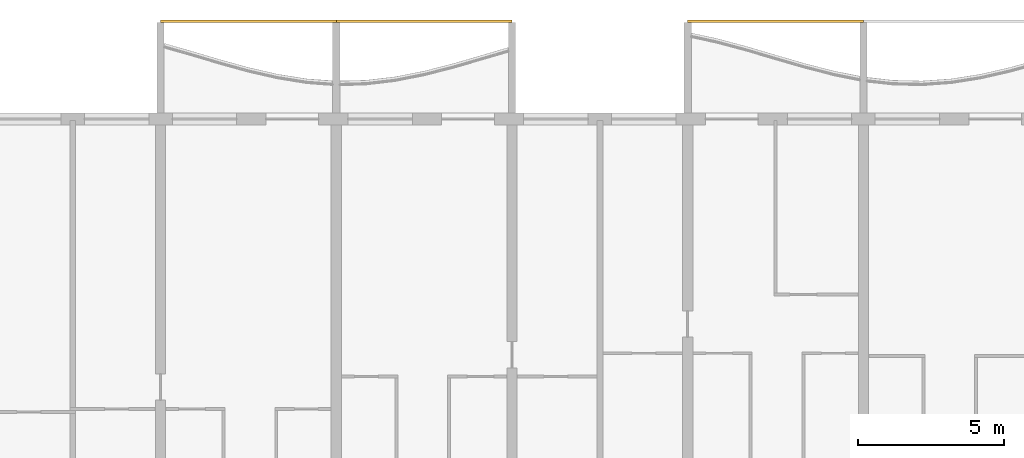
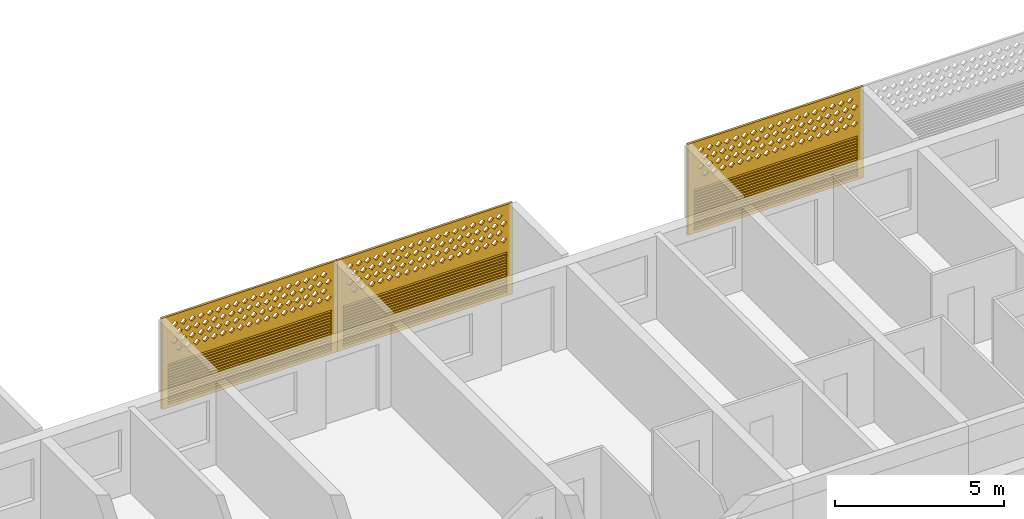
# One storey, part 20 of 24: 3 coverings.
"""IFC4 building model written with IfcOpenShell, lengths in metres."""

from ifc_helpers import new_model, si_unit, direction, frame, origin, place, context, subcontext, project, spatial, polyline, outline, extrude, source, transform, mapped, material, material_profile, profile_set, type_object, element, save


model = new_model("IFC4")

# Units and contexts
model_context = context("Model", 3, precision=1e-05, world=origin(), true_north=direction((0.0, 1.0)))
body_context = subcontext(model_context, "Body", "Model", "MODEL_VIEW")
ifc_project = project(units=[si_unit("LENGTHUNIT", "METRE"), si_unit("AREAUNIT", "SQUARE_METRE"), si_unit("VOLUMEUNIT", "CUBIC_METRE"), si_unit("PLANEANGLEUNIT", "RADIAN"), si_unit("MASSUNIT", "GRAM", prefix="KILO")], contexts=[model_context])

# Site, building, storey
site_placement = place(None, origin())
site = spatial("IfcSite", under=ifc_project, at=site_placement, CompositionType="ELEMENT")
building_placement = place(site_placement, origin())
building = spatial("IfcBuilding", under=site, at=building_placement, Name="Poui Terraces", CompositionType="ELEMENT")
storey_placement = place(building_placement, frame((0.0, 0.0, 102.60009765625)))
storey = spatial("IfcBuildingStorey", under=building, at=storey_placement, Name="L28", CompositionType="ELEMENT", Elevation=102.60009765625)

# Coverings
ifc_material = material(Name="Terracotta screen", Category="masonry")
ifc_material_profile = material_profile(ifc_material, outline(polyline([(-3.0, -1.64990234375), (3.0, -1.64990234375), (3.0, 1.64990234375), (-3.0, 1.64990234375), (-3.0, -1.64990234375)]), holes=[polyline([(-2.800048828125, 0.39990234375), (-2.68994140625, 0.2900390625), (-2.580078125, 0.39990234375), (-2.68994140625, 0.510009765625), (-2.800048828125, 0.39990234375)]), polyline([(-2.5, 0.39990234375), (-2.389892578125, 0.2900390625), (-2.280029296875, 0.39990234375), (-2.389892578125, 0.510009765625), (-2.5, 0.39990234375)]), polyline([(-2.199951171875, 0.39990234375), (-2.090087890625, 0.2900390625), (-1.97998046875, 0.39990234375), (-2.090087890625, 0.510009765625), (-2.199951171875, 0.39990234375)]), polyline([(-1.89990234375, 0.39990234375), (-1.7900390625, 0.2900390625), (-1.679931640625, 0.39990234375), (-1.7900390625, 0.510009765625), (-1.89990234375, 0.39990234375)]), polyline([(-1.60009765625, 0.39990234375), (-1.489990234375, 0.2900390625), (-1.3798828125, 0.39990234375), (-1.489990234375, 0.510009765625), (-1.60009765625, 0.39990234375)]), polyline([(-1.300048828125, 0.39990234375), (-1.18994140625, 0.2900390625), (-1.080078125, 0.39990234375), (-1.18994140625, 0.510009765625), (-1.300048828125, 0.39990234375)]), polyline([(-1.0, 0.39990234375), (-0.889892578125, 0.2900390625), (-0.780029296875, 0.39990234375), (-0.889892578125, 0.510009765625), (-1.0, 0.39990234375)]), polyline([(-0.699951171875, 0.39990234375), (-0.590087890625, 0.2900390625), (-0.47998046875, 0.39990234375), (-0.590087890625, 0.510009765625), (-0.699951171875, 0.39990234375)]), polyline([(-0.39990234375, 0.39990234375), (-0.2900390625, 0.2900390625), (-0.179931640625, 0.39990234375), (-0.2900390625, 0.510009765625), (-0.39990234375, 0.39990234375)]), polyline([(-0.10009765625, 0.39990234375), (0.010009765625, 0.2900390625), (0.1201171875, 0.39990234375), (0.010009765625, 0.510009765625), (-0.10009765625, 0.39990234375)]), polyline([(0.199951171875, 0.39990234375), (0.31005859375, 0.2900390625), (0.419921875, 0.39990234375), (0.31005859375, 0.510009765625), (0.199951171875, 0.39990234375)]), polyline([(0.5, 0.39990234375), (0.610107421875, 0.2900390625), (0.719970703125, 0.39990234375), (0.610107421875, 0.510009765625), (0.5, 0.39990234375)]), polyline([(0.800048828125, 0.39990234375), (0.909912109375, 0.2900390625), (1.02001953125, 0.39990234375), (0.909912109375, 0.510009765625), (0.800048828125, 0.39990234375)]), polyline([(1.10009765625, 0.39990234375), (1.2099609375, 0.2900390625), (1.320068359375, 0.39990234375), (1.2099609375, 0.510009765625), (1.10009765625, 0.39990234375)]), polyline([(1.39990234375, 0.39990234375), (1.510009765625, 0.2900390625), (1.6201171875, 0.39990234375), (1.510009765625, 0.510009765625), (1.39990234375, 0.39990234375)]), polyline([(1.699951171875, 0.39990234375), (1.81005859375, 0.2900390625), (1.919921875, 0.39990234375), (1.81005859375, 0.510009765625), (1.699951171875, 0.39990234375)]), polyline([(2.0, 0.39990234375), (2.110107421875, 0.2900390625), (2.219970703125, 0.39990234375), (2.110107421875, 0.510009765625), (2.0, 0.39990234375)]), polyline([(2.300048828125, 0.39990234375), (2.409912109375, 0.2900390625), (2.52001953125, 0.39990234375), (2.409912109375, 0.510009765625), (2.300048828125, 0.39990234375)]), polyline([(-2.64990234375, 0.699951171875), (-2.5400390625, 0.590087890625), (-2.429931640625, 0.699951171875), (-2.5400390625, 0.81005859375), (-2.64990234375, 0.699951171875)]), polyline([(-2.35009765625, 0.699951171875), (-2.239990234375, 0.590087890625), (-2.1298828125, 0.699951171875), (-2.239990234375, 0.81005859375), (-2.35009765625, 0.699951171875)]), polyline([(-2.050048828125, 0.699951171875), (-1.93994140625, 0.590087890625), (-1.830078125, 0.699951171875), (-1.93994140625, 0.81005859375), (-2.050048828125, 0.699951171875)]), polyline([(-1.75, 0.699951171875), (-1.639892578125, 0.590087890625), (-1.530029296875, 0.699951171875), (-1.639892578125, 0.81005859375), (-1.75, 0.699951171875)]), polyline([(-1.449951171875, 0.699951171875), (-1.340087890625, 0.590087890625), (-1.22998046875, 0.699951171875), (-1.340087890625, 0.81005859375), (-1.449951171875, 0.699951171875)]), polyline([(-1.14990234375, 0.699951171875), (-1.0400390625, 0.590087890625), (-0.929931640625, 0.699951171875), (-1.0400390625, 0.81005859375), (-1.14990234375, 0.699951171875)]), polyline([(-0.85009765625, 0.699951171875), (-0.739990234375, 0.590087890625), (-0.6298828125, 0.699951171875), (-0.739990234375, 0.81005859375), (-0.85009765625, 0.699951171875)]), polyline([(-0.550048828125, 0.699951171875), (-0.43994140625, 0.590087890625), (-0.330078125, 0.699951171875), (-0.43994140625, 0.81005859375), (-0.550048828125, 0.699951171875)]), polyline([(-0.25, 0.699951171875), (-0.139892578125, 0.590087890625), (-0.030029296875, 0.699951171875), (-0.139892578125, 0.81005859375), (-0.25, 0.699951171875)]), polyline([(0.050048828125, 0.699951171875), (0.159912109375, 0.590087890625), (0.27001953125, 0.699951171875), (0.159912109375, 0.81005859375), (0.050048828125, 0.699951171875)]), polyline([(0.35009765625, 0.699951171875), (0.4599609375, 0.590087890625), (0.570068359375, 0.699951171875), (0.4599609375, 0.81005859375), (0.35009765625, 0.699951171875)]), polyline([(0.64990234375, 0.699951171875), (0.760009765625, 0.590087890625), (0.8701171875, 0.699951171875), (0.760009765625, 0.81005859375), (0.64990234375, 0.699951171875)]), polyline([(0.949951171875, 0.699951171875), (1.06005859375, 0.590087890625), (1.169921875, 0.699951171875), (1.06005859375, 0.81005859375), (0.949951171875, 0.699951171875)]), polyline([(1.25, 0.699951171875), (1.360107421875, 0.590087890625), (1.469970703125, 0.699951171875), (1.360107421875, 0.81005859375), (1.25, 0.699951171875)]), polyline([(1.550048828125, 0.699951171875), (1.659912109375, 0.590087890625), (1.77001953125, 0.699951171875), (1.659912109375, 0.81005859375), (1.550048828125, 0.699951171875)]), polyline([(1.85009765625, 0.699951171875), (1.9599609375, 0.590087890625), (2.070068359375, 0.699951171875), (1.9599609375, 0.81005859375), (1.85009765625, 0.699951171875)]), polyline([(2.14990234375, 0.699951171875), (2.260009765625, 0.590087890625), (2.3701171875, 0.699951171875), (2.260009765625, 0.81005859375), (2.14990234375, 0.699951171875)]), polyline([(2.449951171875, 0.699951171875), (2.56005859375, 0.590087890625), (2.669921875, 0.699951171875), (2.56005859375, 0.81005859375), (2.449951171875, 0.699951171875)]), polyline([(-2.800048828125, 1.0), (-2.68994140625, 0.889892578125), (-2.580078125, 1.0), (-2.68994140625, 1.110107421875), (-2.800048828125, 1.0)]), polyline([(-2.5, 1.0), (-2.389892578125, 0.889892578125), (-2.280029296875, 1.0), (-2.389892578125, 1.110107421875), (-2.5, 1.0)]), polyline([(-2.199951171875, 1.0), (-2.090087890625, 0.889892578125), (-1.97998046875, 1.0), (-2.090087890625, 1.110107421875), (-2.199951171875, 1.0)]), polyline([(-1.89990234375, 1.0), (-1.7900390625, 0.889892578125), (-1.679931640625, 1.0), (-1.7900390625, 1.110107421875), (-1.89990234375, 1.0)]), polyline([(-1.60009765625, 1.0), (-1.489990234375, 0.889892578125), (-1.3798828125, 1.0), (-1.489990234375, 1.110107421875), (-1.60009765625, 1.0)]), polyline([(-1.300048828125, 1.0), (-1.18994140625, 0.889892578125), (-1.080078125, 1.0), (-1.18994140625, 1.110107421875), (-1.300048828125, 1.0)]), polyline([(-1.0, 1.0), (-0.889892578125, 0.889892578125), (-0.780029296875, 1.0), (-0.889892578125, 1.110107421875), (-1.0, 1.0)]), polyline([(-0.699951171875, 1.0), (-0.590087890625, 0.889892578125), (-0.47998046875, 1.0), (-0.590087890625, 1.110107421875), (-0.699951171875, 1.0)]), polyline([(-0.39990234375, 1.0), (-0.2900390625, 0.889892578125), (-0.179931640625, 1.0), (-0.2900390625, 1.110107421875), (-0.39990234375, 1.0)]), polyline([(-0.10009765625, 1.0), (0.010009765625, 0.889892578125), (0.1201171875, 1.0), (0.010009765625, 1.110107421875), (-0.10009765625, 1.0)]), polyline([(0.199951171875, 1.0), (0.31005859375, 0.889892578125), (0.419921875, 1.0), (0.31005859375, 1.110107421875), (0.199951171875, 1.0)]), polyline([(0.5, 1.0), (0.610107421875, 0.889892578125), (0.719970703125, 1.0), (0.610107421875, 1.110107421875), (0.5, 1.0)]), polyline([(0.800048828125, 1.0), (0.909912109375, 0.889892578125), (1.02001953125, 1.0), (0.909912109375, 1.110107421875), (0.800048828125, 1.0)]), polyline([(1.10009765625, 1.0), (1.2099609375, 0.889892578125), (1.320068359375, 1.0), (1.2099609375, 1.110107421875), (1.10009765625, 1.0)]), polyline([(1.39990234375, 1.0), (1.510009765625, 0.889892578125), (1.6201171875, 1.0), (1.510009765625, 1.110107421875), (1.39990234375, 1.0)]), polyline([(1.699951171875, 1.0), (1.81005859375, 0.889892578125), (1.919921875, 1.0), (1.81005859375, 1.110107421875), (1.699951171875, 1.0)]), polyline([(2.0, 1.0), (2.110107421875, 0.889892578125), (2.219970703125, 1.0), (2.110107421875, 1.110107421875), (2.0, 1.0)]), polyline([(2.300048828125, 1.0), (2.409912109375, 0.889892578125), (2.52001953125, 1.0), (2.409912109375, 1.110107421875), (2.300048828125, 1.0)]), polyline([(-2.64990234375, 1.300048828125), (-2.5400390625, 1.18994140625), (-2.429931640625, 1.300048828125), (-2.5400390625, 1.409912109375), (-2.64990234375, 1.300048828125)]), polyline([(-2.35009765625, 1.300048828125), (-2.239990234375, 1.18994140625), (-2.1298828125, 1.300048828125), (-2.239990234375, 1.409912109375), (-2.35009765625, 1.300048828125)]), polyline([(-2.050048828125, 1.300048828125), (-1.93994140625, 1.18994140625), (-1.830078125, 1.300048828125), (-1.93994140625, 1.409912109375), (-2.050048828125, 1.300048828125)]), polyline([(-1.75, 1.300048828125), (-1.639892578125, 1.18994140625), (-1.530029296875, 1.300048828125), (-1.639892578125, 1.409912109375), (-1.75, 1.300048828125)]), polyline([(-1.449951171875, 1.300048828125), (-1.340087890625, 1.18994140625), (-1.22998046875, 1.300048828125), (-1.340087890625, 1.409912109375), (-1.449951171875, 1.300048828125)]), polyline([(-1.14990234375, 1.300048828125), (-1.0400390625, 1.18994140625), (-0.929931640625, 1.300048828125), (-1.0400390625, 1.409912109375), (-1.14990234375, 1.300048828125)]), polyline([(-0.85009765625, 1.300048828125), (-0.739990234375, 1.18994140625), (-0.6298828125, 1.300048828125), (-0.739990234375, 1.409912109375), (-0.85009765625, 1.300048828125)]), polyline([(-0.550048828125, 1.300048828125), (-0.43994140625, 1.18994140625), (-0.330078125, 1.300048828125), (-0.43994140625, 1.409912109375), (-0.550048828125, 1.300048828125)]), polyline([(-0.25, 1.300048828125), (-0.139892578125, 1.18994140625), (-0.030029296875, 1.300048828125), (-0.139892578125, 1.409912109375), (-0.25, 1.300048828125)]), polyline([(0.050048828125, 1.300048828125), (0.159912109375, 1.18994140625), (0.27001953125, 1.300048828125), (0.159912109375, 1.409912109375), (0.050048828125, 1.300048828125)]), polyline([(0.35009765625, 1.300048828125), (0.4599609375, 1.18994140625), (0.570068359375, 1.300048828125), (0.4599609375, 1.409912109375), (0.35009765625, 1.300048828125)]), polyline([(0.64990234375, 1.300048828125), (0.760009765625, 1.18994140625), (0.8701171875, 1.300048828125), (0.760009765625, 1.409912109375), (0.64990234375, 1.300048828125)]), polyline([(0.949951171875, 1.300048828125), (1.06005859375, 1.18994140625), (1.169921875, 1.300048828125), (1.06005859375, 1.409912109375), (0.949951171875, 1.300048828125)]), polyline([(1.25, 1.300048828125), (1.360107421875, 1.18994140625), (1.469970703125, 1.300048828125), (1.360107421875, 1.409912109375), (1.25, 1.300048828125)]), polyline([(1.550048828125, 1.300048828125), (1.659912109375, 1.18994140625), (1.77001953125, 1.300048828125), (1.659912109375, 1.409912109375), (1.550048828125, 1.300048828125)]), polyline([(1.85009765625, 1.300048828125), (1.9599609375, 1.18994140625), (2.070068359375, 1.300048828125), (1.9599609375, 1.409912109375), (1.85009765625, 1.300048828125)]), polyline([(2.14990234375, 1.300048828125), (2.260009765625, 1.18994140625), (2.3701171875, 1.300048828125), (2.260009765625, 1.409912109375), (2.14990234375, 1.300048828125)]), polyline([(2.449951171875, 1.300048828125), (2.56005859375, 1.18994140625), (2.669921875, 1.300048828125), (2.56005859375, 1.409912109375), (2.449951171875, 1.300048828125)]), polyline([(-2.800048828125, -1.530029296875), (2.800048828125, -1.530029296875), (2.800048828125, -1.469970703125), (-2.800048828125, -1.469970703125), (-2.800048828125, -1.530029296875)]), polyline([(-2.800048828125, -1.429931640625), (2.800048828125, -1.429931640625), (2.800048828125, -1.3701171875), (-2.800048828125, -1.3701171875), (-2.800048828125, -1.429931640625)]), polyline([(-2.800048828125, -1.330078125), (2.800048828125, -1.330078125), (2.800048828125, -1.27001953125), (-2.800048828125, -1.27001953125), (-2.800048828125, -1.330078125)]), polyline([(-2.800048828125, -1.22998046875), (2.800048828125, -1.22998046875), (2.800048828125, -1.169921875), (-2.800048828125, -1.169921875), (-2.800048828125, -1.22998046875)]), polyline([(-2.800048828125, -1.1298828125), (2.800048828125, -1.1298828125), (2.800048828125, -1.070068359375), (-2.800048828125, -1.070068359375), (-2.800048828125, -1.1298828125)]), polyline([(-2.800048828125, -1.030029296875), (2.800048828125, -1.030029296875), (2.800048828125, -0.969970703125), (-2.800048828125, -0.969970703125), (-2.800048828125, -1.030029296875)]), polyline([(-2.800048828125, -0.929931640625), (2.800048828125, -0.929931640625), (2.800048828125, -0.8701171875), (-2.800048828125, -0.8701171875), (-2.800048828125, -0.929931640625)]), polyline([(-2.800048828125, -0.830078125), (2.800048828125, -0.830078125), (2.800048828125, -0.77001953125), (-2.800048828125, -0.77001953125), (-2.800048828125, -0.830078125)]), polyline([(-2.800048828125, -0.72998046875), (2.800048828125, -0.72998046875), (2.800048828125, -0.669921875), (-2.800048828125, -0.669921875), (-2.800048828125, -0.72998046875)]), polyline([(-2.800048828125, -0.6298828125), (2.800048828125, -0.6298828125), (2.800048828125, -0.570068359375), (-2.800048828125, -0.570068359375), (-2.800048828125, -0.6298828125)]), polyline([(-2.800048828125, -0.530029296875), (2.800048828125, -0.530029296875), (2.800048828125, -0.469970703125), (-2.800048828125, -0.469970703125), (-2.800048828125, -0.530029296875)]), polyline([(-2.800048828125, -0.429931640625), (2.800048828125, -0.429931640625), (2.800048828125, -0.3701171875), (-2.800048828125, -0.3701171875), (-2.800048828125, -0.429931640625)]), polyline([(-2.800048828125, -0.330078125), (2.800048828125, -0.330078125), (2.800048828125, -0.27001953125), (-2.800048828125, -0.27001953125), (-2.800048828125, -0.330078125)]), polyline([(-2.800048828125, -0.22998046875), (2.800048828125, -0.22998046875), (2.800048828125, -0.169921875), (-2.800048828125, -0.169921875), (-2.800048828125, -0.22998046875)]), polyline([(-2.800048828125, -0.1298828125), (2.800048828125, -0.1298828125), (2.800048828125, -0.070068359375), (-2.800048828125, -0.070068359375), (-2.800048828125, -0.1298828125)])]), Name="TERRACOTTA SCREEN AND JALOUSIE LOUVRE 6000X3300")
ifc_profile_set = profile_set([ifc_material_profile], Name="Terracotta screen")
covering_type = type_object("IfcCoveringType", Name="TERRACOTTA SCREEN AND JALOUSIE LOUVRE 6000X3300", PredefinedType="CLADDING", material=ifc_profile_set)
shared_shape = source(origin(), body_context, "Body", "SweptSolid", [
    extrude(outline(polyline([(-3.0, -1.64990234375), (3.0, -1.64990234375), (3.0, 1.64990234375), (-3.0, 1.64990234375), (-3.0, -1.64990234375)]), holes=[polyline([(-2.800048828125, 0.39990234375), (-2.68994140625, 0.2900390625), (-2.580078125, 0.39990234375), (-2.68994140625, 0.510009765625), (-2.800048828125, 0.39990234375)]), polyline([(-2.5, 0.39990234375), (-2.389892578125, 0.2900390625), (-2.280029296875, 0.39990234375), (-2.389892578125, 0.510009765625), (-2.5, 0.39990234375)]), polyline([(-2.199951171875, 0.39990234375), (-2.090087890625, 0.2900390625), (-1.97998046875, 0.39990234375), (-2.090087890625, 0.510009765625), (-2.199951171875, 0.39990234375)]), polyline([(-1.89990234375, 0.39990234375), (-1.7900390625, 0.2900390625), (-1.679931640625, 0.39990234375), (-1.7900390625, 0.510009765625), (-1.89990234375, 0.39990234375)]), polyline([(-1.60009765625, 0.39990234375), (-1.489990234375, 0.2900390625), (-1.3798828125, 0.39990234375), (-1.489990234375, 0.510009765625), (-1.60009765625, 0.39990234375)]), polyline([(-1.300048828125, 0.39990234375), (-1.18994140625, 0.2900390625), (-1.080078125, 0.39990234375), (-1.18994140625, 0.510009765625), (-1.300048828125, 0.39990234375)]), polyline([(-1.0, 0.39990234375), (-0.889892578125, 0.2900390625), (-0.780029296875, 0.39990234375), (-0.889892578125, 0.510009765625), (-1.0, 0.39990234375)]), polyline([(-0.699951171875, 0.39990234375), (-0.590087890625, 0.2900390625), (-0.47998046875, 0.39990234375), (-0.590087890625, 0.510009765625), (-0.699951171875, 0.39990234375)]), polyline([(-0.39990234375, 0.39990234375), (-0.2900390625, 0.2900390625), (-0.179931640625, 0.39990234375), (-0.2900390625, 0.510009765625), (-0.39990234375, 0.39990234375)]), polyline([(-0.10009765625, 0.39990234375), (0.010009765625, 0.2900390625), (0.1201171875, 0.39990234375), (0.010009765625, 0.510009765625), (-0.10009765625, 0.39990234375)]), polyline([(0.199951171875, 0.39990234375), (0.31005859375, 0.2900390625), (0.419921875, 0.39990234375), (0.31005859375, 0.510009765625), (0.199951171875, 0.39990234375)]), polyline([(0.5, 0.39990234375), (0.610107421875, 0.2900390625), (0.719970703125, 0.39990234375), (0.610107421875, 0.510009765625), (0.5, 0.39990234375)]), polyline([(0.800048828125, 0.39990234375), (0.909912109375, 0.2900390625), (1.02001953125, 0.39990234375), (0.909912109375, 0.510009765625), (0.800048828125, 0.39990234375)]), polyline([(1.10009765625, 0.39990234375), (1.2099609375, 0.2900390625), (1.320068359375, 0.39990234375), (1.2099609375, 0.510009765625), (1.10009765625, 0.39990234375)]), polyline([(1.39990234375, 0.39990234375), (1.510009765625, 0.2900390625), (1.6201171875, 0.39990234375), (1.510009765625, 0.510009765625), (1.39990234375, 0.39990234375)]), polyline([(1.699951171875, 0.39990234375), (1.81005859375, 0.2900390625), (1.919921875, 0.39990234375), (1.81005859375, 0.510009765625), (1.699951171875, 0.39990234375)]), polyline([(2.0, 0.39990234375), (2.110107421875, 0.2900390625), (2.219970703125, 0.39990234375), (2.110107421875, 0.510009765625), (2.0, 0.39990234375)]), polyline([(2.300048828125, 0.39990234375), (2.409912109375, 0.2900390625), (2.52001953125, 0.39990234375), (2.409912109375, 0.510009765625), (2.300048828125, 0.39990234375)]), polyline([(-2.64990234375, 0.699951171875), (-2.5400390625, 0.590087890625), (-2.429931640625, 0.699951171875), (-2.5400390625, 0.81005859375), (-2.64990234375, 0.699951171875)]), polyline([(-2.35009765625, 0.699951171875), (-2.239990234375, 0.590087890625), (-2.1298828125, 0.699951171875), (-2.239990234375, 0.81005859375), (-2.35009765625, 0.699951171875)]), polyline([(-2.050048828125, 0.699951171875), (-1.93994140625, 0.590087890625), (-1.830078125, 0.699951171875), (-1.93994140625, 0.81005859375), (-2.050048828125, 0.699951171875)]), polyline([(-1.75, 0.699951171875), (-1.639892578125, 0.590087890625), (-1.530029296875, 0.699951171875), (-1.639892578125, 0.81005859375), (-1.75, 0.699951171875)]), polyline([(-1.449951171875, 0.699951171875), (-1.340087890625, 0.590087890625), (-1.22998046875, 0.699951171875), (-1.340087890625, 0.81005859375), (-1.449951171875, 0.699951171875)]), polyline([(-1.14990234375, 0.699951171875), (-1.0400390625, 0.590087890625), (-0.929931640625, 0.699951171875), (-1.0400390625, 0.81005859375), (-1.14990234375, 0.699951171875)]), polyline([(-0.85009765625, 0.699951171875), (-0.739990234375, 0.590087890625), (-0.6298828125, 0.699951171875), (-0.739990234375, 0.81005859375), (-0.85009765625, 0.699951171875)]), polyline([(-0.550048828125, 0.699951171875), (-0.43994140625, 0.590087890625), (-0.330078125, 0.699951171875), (-0.43994140625, 0.81005859375), (-0.550048828125, 0.699951171875)]), polyline([(-0.25, 0.699951171875), (-0.139892578125, 0.590087890625), (-0.030029296875, 0.699951171875), (-0.139892578125, 0.81005859375), (-0.25, 0.699951171875)]), polyline([(0.050048828125, 0.699951171875), (0.159912109375, 0.590087890625), (0.27001953125, 0.699951171875), (0.159912109375, 0.81005859375), (0.050048828125, 0.699951171875)]), polyline([(0.35009765625, 0.699951171875), (0.4599609375, 0.590087890625), (0.570068359375, 0.699951171875), (0.4599609375, 0.81005859375), (0.35009765625, 0.699951171875)]), polyline([(0.64990234375, 0.699951171875), (0.760009765625, 0.590087890625), (0.8701171875, 0.699951171875), (0.760009765625, 0.81005859375), (0.64990234375, 0.699951171875)]), polyline([(0.949951171875, 0.699951171875), (1.06005859375, 0.590087890625), (1.169921875, 0.699951171875), (1.06005859375, 0.81005859375), (0.949951171875, 0.699951171875)]), polyline([(1.25, 0.699951171875), (1.360107421875, 0.590087890625), (1.469970703125, 0.699951171875), (1.360107421875, 0.81005859375), (1.25, 0.699951171875)]), polyline([(1.550048828125, 0.699951171875), (1.659912109375, 0.590087890625), (1.77001953125, 0.699951171875), (1.659912109375, 0.81005859375), (1.550048828125, 0.699951171875)]), polyline([(1.85009765625, 0.699951171875), (1.9599609375, 0.590087890625), (2.070068359375, 0.699951171875), (1.9599609375, 0.81005859375), (1.85009765625, 0.699951171875)]), polyline([(2.14990234375, 0.699951171875), (2.260009765625, 0.590087890625), (2.3701171875, 0.699951171875), (2.260009765625, 0.81005859375), (2.14990234375, 0.699951171875)]), polyline([(2.449951171875, 0.699951171875), (2.56005859375, 0.590087890625), (2.669921875, 0.699951171875), (2.56005859375, 0.81005859375), (2.449951171875, 0.699951171875)]), polyline([(-2.800048828125, 1.0), (-2.68994140625, 0.889892578125), (-2.580078125, 1.0), (-2.68994140625, 1.110107421875), (-2.800048828125, 1.0)]), polyline([(-2.5, 1.0), (-2.389892578125, 0.889892578125), (-2.280029296875, 1.0), (-2.389892578125, 1.110107421875), (-2.5, 1.0)]), polyline([(-2.199951171875, 1.0), (-2.090087890625, 0.889892578125), (-1.97998046875, 1.0), (-2.090087890625, 1.110107421875), (-2.199951171875, 1.0)]), polyline([(-1.89990234375, 1.0), (-1.7900390625, 0.889892578125), (-1.679931640625, 1.0), (-1.7900390625, 1.110107421875), (-1.89990234375, 1.0)]), polyline([(-1.60009765625, 1.0), (-1.489990234375, 0.889892578125), (-1.3798828125, 1.0), (-1.489990234375, 1.110107421875), (-1.60009765625, 1.0)]), polyline([(-1.300048828125, 1.0), (-1.18994140625, 0.889892578125), (-1.080078125, 1.0), (-1.18994140625, 1.110107421875), (-1.300048828125, 1.0)]), polyline([(-1.0, 1.0), (-0.889892578125, 0.889892578125), (-0.780029296875, 1.0), (-0.889892578125, 1.110107421875), (-1.0, 1.0)]), polyline([(-0.699951171875, 1.0), (-0.590087890625, 0.889892578125), (-0.47998046875, 1.0), (-0.590087890625, 1.110107421875), (-0.699951171875, 1.0)]), polyline([(-0.39990234375, 1.0), (-0.2900390625, 0.889892578125), (-0.179931640625, 1.0), (-0.2900390625, 1.110107421875), (-0.39990234375, 1.0)]), polyline([(-0.10009765625, 1.0), (0.010009765625, 0.889892578125), (0.1201171875, 1.0), (0.010009765625, 1.110107421875), (-0.10009765625, 1.0)]), polyline([(0.199951171875, 1.0), (0.31005859375, 0.889892578125), (0.419921875, 1.0), (0.31005859375, 1.110107421875), (0.199951171875, 1.0)]), polyline([(0.5, 1.0), (0.610107421875, 0.889892578125), (0.719970703125, 1.0), (0.610107421875, 1.110107421875), (0.5, 1.0)]), polyline([(0.800048828125, 1.0), (0.909912109375, 0.889892578125), (1.02001953125, 1.0), (0.909912109375, 1.110107421875), (0.800048828125, 1.0)]), polyline([(1.10009765625, 1.0), (1.2099609375, 0.889892578125), (1.320068359375, 1.0), (1.2099609375, 1.110107421875), (1.10009765625, 1.0)]), polyline([(1.39990234375, 1.0), (1.510009765625, 0.889892578125), (1.6201171875, 1.0), (1.510009765625, 1.110107421875), (1.39990234375, 1.0)]), polyline([(1.699951171875, 1.0), (1.81005859375, 0.889892578125), (1.919921875, 1.0), (1.81005859375, 1.110107421875), (1.699951171875, 1.0)]), polyline([(2.0, 1.0), (2.110107421875, 0.889892578125), (2.219970703125, 1.0), (2.110107421875, 1.110107421875), (2.0, 1.0)]), polyline([(2.300048828125, 1.0), (2.409912109375, 0.889892578125), (2.52001953125, 1.0), (2.409912109375, 1.110107421875), (2.300048828125, 1.0)]), polyline([(-2.64990234375, 1.300048828125), (-2.5400390625, 1.18994140625), (-2.429931640625, 1.300048828125), (-2.5400390625, 1.409912109375), (-2.64990234375, 1.300048828125)]), polyline([(-2.35009765625, 1.300048828125), (-2.239990234375, 1.18994140625), (-2.1298828125, 1.300048828125), (-2.239990234375, 1.409912109375), (-2.35009765625, 1.300048828125)]), polyline([(-2.050048828125, 1.300048828125), (-1.93994140625, 1.18994140625), (-1.830078125, 1.300048828125), (-1.93994140625, 1.409912109375), (-2.050048828125, 1.300048828125)]), polyline([(-1.75, 1.300048828125), (-1.639892578125, 1.18994140625), (-1.530029296875, 1.300048828125), (-1.639892578125, 1.409912109375), (-1.75, 1.300048828125)]), polyline([(-1.449951171875, 1.300048828125), (-1.340087890625, 1.18994140625), (-1.22998046875, 1.300048828125), (-1.340087890625, 1.409912109375), (-1.449951171875, 1.300048828125)]), polyline([(-1.14990234375, 1.300048828125), (-1.0400390625, 1.18994140625), (-0.929931640625, 1.300048828125), (-1.0400390625, 1.409912109375), (-1.14990234375, 1.300048828125)]), polyline([(-0.85009765625, 1.300048828125), (-0.739990234375, 1.18994140625), (-0.6298828125, 1.300048828125), (-0.739990234375, 1.409912109375), (-0.85009765625, 1.300048828125)]), polyline([(-0.550048828125, 1.300048828125), (-0.43994140625, 1.18994140625), (-0.330078125, 1.300048828125), (-0.43994140625, 1.409912109375), (-0.550048828125, 1.300048828125)]), polyline([(-0.25, 1.300048828125), (-0.139892578125, 1.18994140625), (-0.030029296875, 1.300048828125), (-0.139892578125, 1.409912109375), (-0.25, 1.300048828125)]), polyline([(0.050048828125, 1.300048828125), (0.159912109375, 1.18994140625), (0.27001953125, 1.300048828125), (0.159912109375, 1.409912109375), (0.050048828125, 1.300048828125)]), polyline([(0.35009765625, 1.300048828125), (0.4599609375, 1.18994140625), (0.570068359375, 1.300048828125), (0.4599609375, 1.409912109375), (0.35009765625, 1.300048828125)]), polyline([(0.64990234375, 1.300048828125), (0.760009765625, 1.18994140625), (0.8701171875, 1.300048828125), (0.760009765625, 1.409912109375), (0.64990234375, 1.300048828125)]), polyline([(0.949951171875, 1.300048828125), (1.06005859375, 1.18994140625), (1.169921875, 1.300048828125), (1.06005859375, 1.409912109375), (0.949951171875, 1.300048828125)]), polyline([(1.25, 1.300048828125), (1.360107421875, 1.18994140625), (1.469970703125, 1.300048828125), (1.360107421875, 1.409912109375), (1.25, 1.300048828125)]), polyline([(1.550048828125, 1.300048828125), (1.659912109375, 1.18994140625), (1.77001953125, 1.300048828125), (1.659912109375, 1.409912109375), (1.550048828125, 1.300048828125)]), polyline([(1.85009765625, 1.300048828125), (1.9599609375, 1.18994140625), (2.070068359375, 1.300048828125), (1.9599609375, 1.409912109375), (1.85009765625, 1.300048828125)]), polyline([(2.14990234375, 1.300048828125), (2.260009765625, 1.18994140625), (2.3701171875, 1.300048828125), (2.260009765625, 1.409912109375), (2.14990234375, 1.300048828125)]), polyline([(2.449951171875, 1.300048828125), (2.56005859375, 1.18994140625), (2.669921875, 1.300048828125), (2.56005859375, 1.409912109375), (2.449951171875, 1.300048828125)]), polyline([(-2.800048828125, -1.530029296875), (2.800048828125, -1.530029296875), (2.800048828125, -1.469970703125), (-2.800048828125, -1.469970703125), (-2.800048828125, -1.530029296875)]), polyline([(-2.800048828125, -1.429931640625), (2.800048828125, -1.429931640625), (2.800048828125, -1.3701171875), (-2.800048828125, -1.3701171875), (-2.800048828125, -1.429931640625)]), polyline([(-2.800048828125, -1.330078125), (2.800048828125, -1.330078125), (2.800048828125, -1.27001953125), (-2.800048828125, -1.27001953125), (-2.800048828125, -1.330078125)]), polyline([(-2.800048828125, -1.22998046875), (2.800048828125, -1.22998046875), (2.800048828125, -1.169921875), (-2.800048828125, -1.169921875), (-2.800048828125, -1.22998046875)]), polyline([(-2.800048828125, -1.1298828125), (2.800048828125, -1.1298828125), (2.800048828125, -1.070068359375), (-2.800048828125, -1.070068359375), (-2.800048828125, -1.1298828125)]), polyline([(-2.800048828125, -1.030029296875), (2.800048828125, -1.030029296875), (2.800048828125, -0.969970703125), (-2.800048828125, -0.969970703125), (-2.800048828125, -1.030029296875)]), polyline([(-2.800048828125, -0.929931640625), (2.800048828125, -0.929931640625), (2.800048828125, -0.8701171875), (-2.800048828125, -0.8701171875), (-2.800048828125, -0.929931640625)]), polyline([(-2.800048828125, -0.830078125), (2.800048828125, -0.830078125), (2.800048828125, -0.77001953125), (-2.800048828125, -0.77001953125), (-2.800048828125, -0.830078125)]), polyline([(-2.800048828125, -0.72998046875), (2.800048828125, -0.72998046875), (2.800048828125, -0.669921875), (-2.800048828125, -0.669921875), (-2.800048828125, -0.72998046875)]), polyline([(-2.800048828125, -0.6298828125), (2.800048828125, -0.6298828125), (2.800048828125, -0.570068359375), (-2.800048828125, -0.570068359375), (-2.800048828125, -0.6298828125)]), polyline([(-2.800048828125, -0.530029296875), (2.800048828125, -0.530029296875), (2.800048828125, -0.469970703125), (-2.800048828125, -0.469970703125), (-2.800048828125, -0.530029296875)]), polyline([(-2.800048828125, -0.429931640625), (2.800048828125, -0.429931640625), (2.800048828125, -0.3701171875), (-2.800048828125, -0.3701171875), (-2.800048828125, -0.429931640625)]), polyline([(-2.800048828125, -0.330078125), (2.800048828125, -0.330078125), (2.800048828125, -0.27001953125), (-2.800048828125, -0.27001953125), (-2.800048828125, -0.330078125)]), polyline([(-2.800048828125, -0.22998046875), (2.800048828125, -0.22998046875), (2.800048828125, -0.169921875), (-2.800048828125, -0.169921875), (-2.800048828125, -0.22998046875)]), polyline([(-2.800048828125, -0.1298828125), (2.800048828125, -0.1298828125), (2.800048828125, -0.070068359375), (-2.800048828125, -0.070068359375), (-2.800048828125, -0.1298828125)])]), origin(), (0.0, 0.0, 1.0), 0.080078125),
])
for number, where, z_axis, x_axis, name in (
    (1, (39.0, 46.89990234375, 1.449951171875), (0.0, 1.0, 0.0), (-1.0, 0.0, 0.0), "SOLAR SCREEN AND JALOUSIE LOUVRE"),
    (2, (45.0, 46.89990234375, 1.449951171875), (0.0, 1.0, 0.0), (-1.0, 0.0, 0.0), "SOLAR SCREEN AND JALOUSIE LOUVRE"),
    (3, (57.0, 46.89990234375, 1.449951171875), (0.0, 1.0, 0.0), (-1.0, 0.0, 0.0), "SOLAR SCREEN AND JALOUSIE LOUVRE"),
):
    element("IfcCovering", number, at=place(storey_placement, frame(where, z_axis=z_axis, x_axis=x_axis)), inside=storey, type_object=covering_type, Name=name, PredefinedType="CLADDING", context=body_context, shape_type="MappedRepresentation", body=[
        mapped(shared_shape, transform((0.0, 0.0, 0.0))),
    ])

save(model, "model.ifc")
